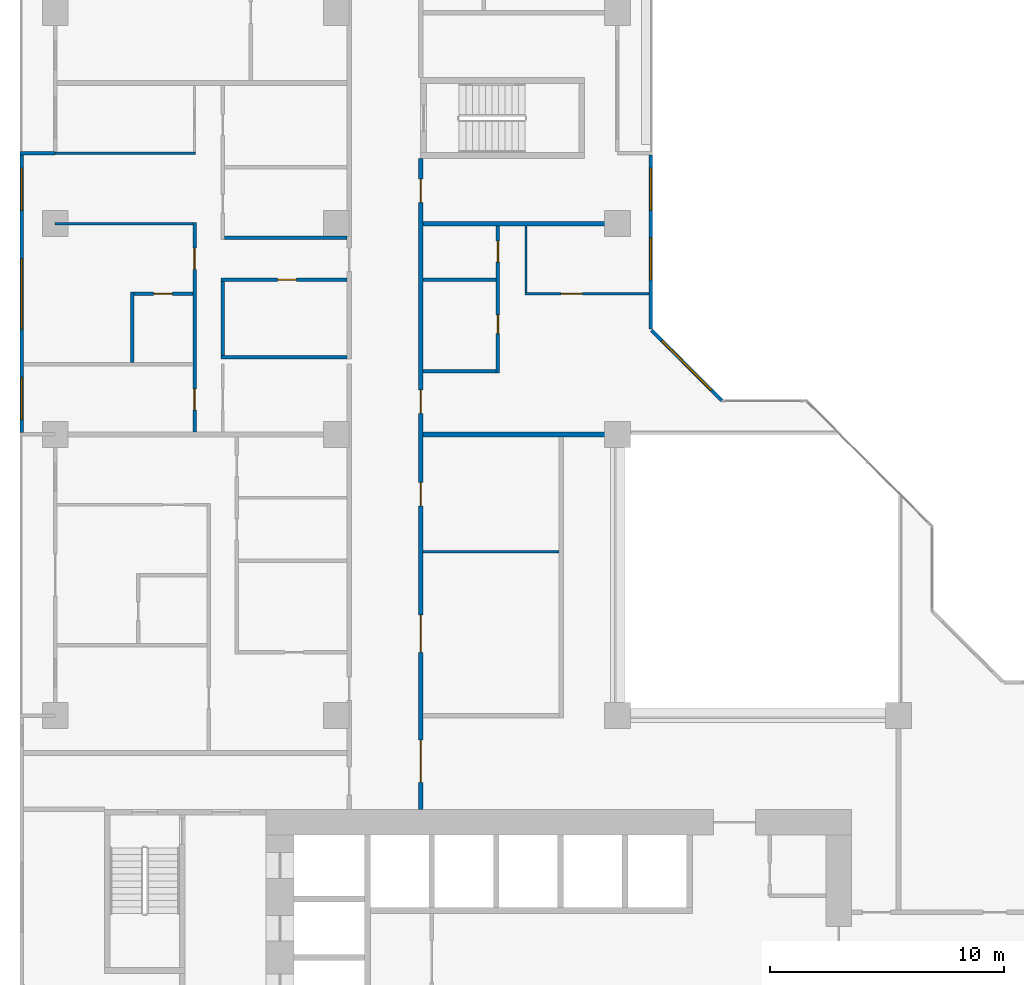
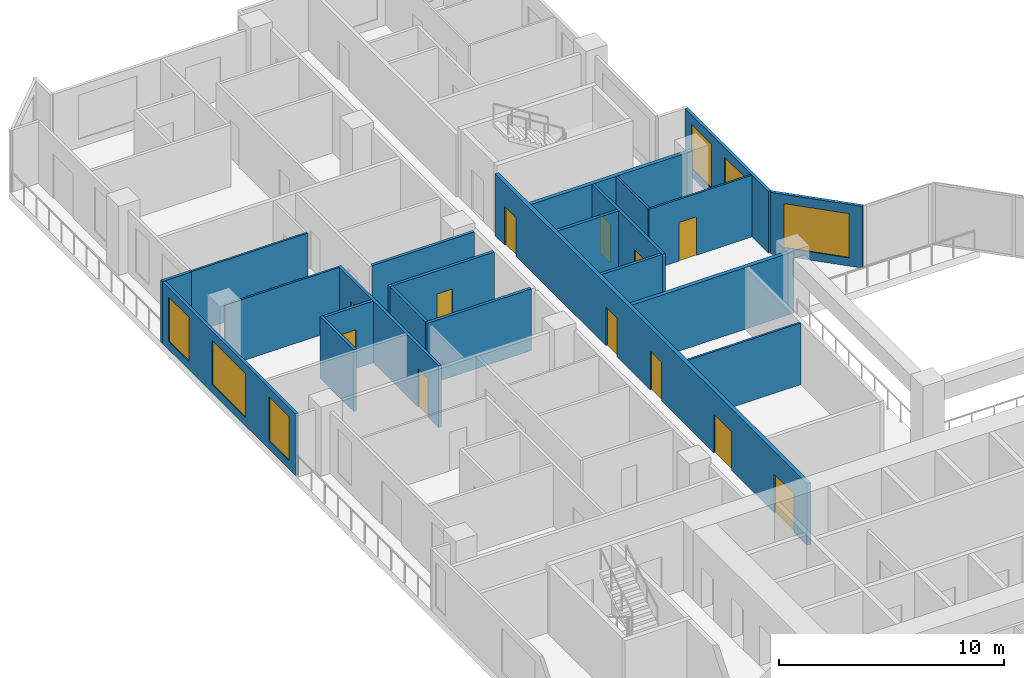
# One storey, part 9 of 15: 22 walls, 12 doors, 6 windows, 18 openings.
"""IFC4 building model written with IfcOpenShell, lengths in metres."""

from ifc_helpers import new_model, si_unit, direction, frame, frame_2d, origin, place, context, subcontext, project, spatial, rectangle, extrude, material, layer, layer_set, type_object, element, fill, save


model = new_model("IFC4")

# Units and contexts
model_context = context("Model", 3, precision=1e-05, world=origin(), true_north=direction((0.0, 1.0)))
body_context = subcontext(model_context, "Body", "Model", "MODEL_VIEW")
ifc_project = project(units=[si_unit("LENGTHUNIT", "METRE"), si_unit("AREAUNIT", "SQUARE_METRE"), si_unit("VOLUMEUNIT", "CUBIC_METRE"), si_unit("PLANEANGLEUNIT", "RADIAN"), si_unit("MASSUNIT", "GRAM", prefix="KILO")], contexts=[model_context])

# Site, building, storey
site_placement = place(None, origin())
site = spatial("IfcSite", under=ifc_project, at=site_placement, CompositionType="ELEMENT")
building_placement = place(site_placement, origin())
building = spatial("IfcBuilding", under=site, at=building_placement, Name="Chenar Terraces", CompositionType="ELEMENT")
storey_placement = place(building_placement, frame((0.0, 0.0, 52.64990234375)))
storey = spatial("IfcBuildingStorey", under=building, at=storey_placement, Name="L10", CompositionType="ELEMENT", Elevation=52.64990234375)

# Wall, openings, doors
ifc_material_1 = material(Name="Gypsum board on steel studs with fire boards", Category="steel")
ifc_layer_1 = layer(ifc_material_1, 0.199951171875)
ifc_layer_set_1 = layer_set([ifc_layer_1], Name="Gypsum board on steel studs with fire boards")
wall_type_1 = type_object("IfcWallType", Name="Corridor wall 200", PredefinedType="PARTITIONING", material=ifc_layer_set_1)
wall_1_placement = place(storey_placement, frame((15.60009765625, 20.0, 0.0), z_axis=(0.0, 0.0, 1.0), x_axis=(0.0, 1.0, 0.0)))
wall_1 = element("IfcWall", 1, at=wall_1_placement, inside=storey, type_object=wall_type_1, Name="Partition L10-044", PredefinedType="PARTITIONING", context=body_context, shape_type="SweptSolid", body=[
    extrude(rectangle(XDim=27.77490234375, YDim=0.199951171875, at=frame_2d((13.887451171875, 0.0))), origin(), (0.0, 0.0, 1.0), 3.35009765625),
])
opening_1_placement = place(wall_1_placement, frame((6.699951171875, 0.0, 0.0)))
opening_1 = element("IfcOpeningElement", 2, at=opening_1_placement, cuts=wall_1, Name="Opening DL10-1", PredefinedType="OPENING", context=body_context, shape_type="SweptSolid", body=[
    extrude(rectangle(XDim=1.60009765625, YDim=2.10009765625, at=frame_2d((0.800048828125, 1.050048828125))), frame((0.0, 0.10986328125, 0.0), z_axis=(0.0, -1.0, 0.0), x_axis=(1.0, 0.0, 0.0)), (0.0, 0.0, 1.0), 0.219970703125),
])
opening_2_placement = place(wall_1_placement, frame((12.949951171875, 0.0, 0.0)))
opening_2 = element("IfcOpeningElement", 3, at=opening_2_placement, cuts=wall_1, Name="Opening DL10-2", PredefinedType="OPENING", context=body_context, shape_type="SweptSolid", body=[
    extrude(rectangle(XDim=1.0, YDim=2.10009765625, at=frame_2d((0.5, 1.050048828125))), frame((0.0, 0.10986328125, 0.0), z_axis=(0.0, -1.0, 0.0), x_axis=(1.0, 0.0, 0.0)), (0.0, 0.0, 1.0), 0.219970703125),
])
opening_3_placement = place(wall_1_placement, frame((16.89990234375, 0.0, 0.0)))
opening_3 = element("IfcOpeningElement", 4, at=opening_3_placement, cuts=wall_1, Name="Opening DL10-26", PredefinedType="OPENING", context=body_context, shape_type="SweptSolid", body=[
    extrude(rectangle(XDim=1.0, YDim=2.10009765625, at=frame_2d((0.5, 1.050048828125))), frame((0.0, 0.10986328125, 0.0), z_axis=(0.0, -1.0, 0.0), x_axis=(1.0, 0.0, 0.0)), (0.0, 0.0, 1.0), 0.219970703125),
])
opening_4_placement = place(wall_1_placement, frame((1.14990234375, 0.0, 0.0)))
opening_4 = element("IfcOpeningElement", 5, at=opening_4_placement, cuts=wall_1, Name="Opening DL10-47", PredefinedType="OPENING", context=body_context, shape_type="SweptSolid", body=[
    extrude(rectangle(XDim=1.800048828125, YDim=2.10009765625, at=frame_2d((0.89990234375, 1.050048828125))), frame((0.0, 0.10986328125, 0.0), z_axis=(0.0, -1.0, 0.0), x_axis=(1.0, 0.0, 0.0)), (0.0, 0.0, 1.0), 0.219970703125),
])
opening_5_placement = place(wall_1_placement, frame((25.89990234375, 0.0, 0.0)))
opening_5 = element("IfcOpeningElement", 6, at=opening_5_placement, cuts=wall_1, Name="Opening DL10-50", PredefinedType="OPENING", context=body_context, shape_type="SweptSolid", body=[
    extrude(rectangle(XDim=1.0, YDim=2.10009765625, at=frame_2d((0.5, 1.050048828125))), frame((0.0, 0.10986328125, 0.0), z_axis=(0.0, -1.0, 0.0), x_axis=(1.0, 0.0, 0.0)), (0.0, 0.0, 1.0), 0.219970703125),
])
ifc_material_2 = material(Name="Steel-framed fire-resisting door leaf", Category="steel")
door_type_1 = type_object("IfcDoorType", Name="Fire door FD60 1000 x 2100", OperationType="SINGLE_SWING_LEFT", PredefinedType="DOOR", material=ifc_material_2)
door_1_placement = place(opening_2_placement, frame((1.0, 0.0, 0.0), z_axis=(0.0, 0.0, 1.0), x_axis=(-1.0, 0.0, 0.0)))
door_1 = element("IfcDoor", 7, at=door_1_placement, inside=storey, type_object=door_type_1, Name="Door DL10-2", OperationType="SINGLE_SWING_LEFT", OverallHeight=2.10009765625, OverallWidth=1.0, PredefinedType="DOOR", context=body_context, shape_type="SweptSolid", body=[
    extrude(rectangle(XDim=1.0, YDim=2.10009765625, at=frame_2d((0.5, 1.050048828125))), frame((0.0, 0.02490234375, 0.0), z_axis=(0.0, -1.0, 0.0), x_axis=(1.0, 0.0, 0.0)), (0.0, 0.0, 1.0), 0.050048828125),
])
fill(opening_2, door_1)
door_2_placement = place(opening_3_placement, frame((1.0, 0.0, 0.0), z_axis=(0.0, 0.0, 1.0), x_axis=(-1.0, 0.0, 0.0)))
door_2 = element("IfcDoor", 8, at=door_2_placement, inside=storey, type_object=door_type_1, Name="Door DL10-26", OperationType="SINGLE_SWING_LEFT", OverallHeight=2.10009765625, OverallWidth=1.0, PredefinedType="DOOR", context=body_context, shape_type="SweptSolid", body=[
    extrude(rectangle(XDim=1.0, YDim=2.10009765625, at=frame_2d((0.5, 1.050048828125))), frame((0.0, 0.02490234375, 0.0), z_axis=(0.0, -1.0, 0.0), x_axis=(1.0, 0.0, 0.0)), (0.0, 0.0, 1.0), 0.050048828125),
])
fill(opening_3, door_2)
door_3_placement = place(opening_5_placement, frame((1.0, 0.0, 0.0), z_axis=(0.0, 0.0, 1.0), x_axis=(-1.0, 0.0, 0.0)))
door_3 = element("IfcDoor", 9, at=door_3_placement, inside=storey, type_object=door_type_1, Name="Door DL10-50", OperationType="SINGLE_SWING_RIGHT", OverallHeight=2.10009765625, OverallWidth=1.0, PredefinedType="DOOR", context=body_context, shape_type="SweptSolid", body=[
    extrude(rectangle(XDim=1.0, YDim=2.10009765625, at=frame_2d((0.5, 1.050048828125))), frame((0.0, 0.02490234375, 0.0), z_axis=(0.0, -1.0, 0.0), x_axis=(1.0, 0.0, 0.0)), (0.0, 0.0, 1.0), 0.050048828125),
])
fill(opening_5, door_3)
ifc_material_3 = material(Name="Steel-framed fire-resisting door leaf", Category="steel")
door_type_2 = type_object("IfcDoorType", Name="Fire double door FD60 1600 x 2100", OperationType="DOUBLE_DOOR_SINGLE_SWING", PredefinedType="DOOR", material=ifc_material_3)
door_4_placement = place(opening_1_placement, frame((1.60009765625, 0.0, 0.0), z_axis=(0.0, 0.0, 1.0), x_axis=(-1.0, 0.0, 0.0)))
door_4 = element("IfcDoor", 10, at=door_4_placement, inside=storey, type_object=door_type_2, Name="Door DL10-1", OperationType="DOUBLE_DOOR_SINGLE_SWING", OverallHeight=2.10009765625, OverallWidth=1.60009765625, PredefinedType="DOOR", context=body_context, shape_type="SweptSolid", body=[
    extrude(rectangle(XDim=1.60009765625, YDim=2.10009765625, at=frame_2d((0.800048828125, 1.050048828125))), frame((0.0, 0.02490234375, 0.0), z_axis=(0.0, -1.0, 0.0), x_axis=(1.0, 0.0, 0.0)), (0.0, 0.0, 1.0), 0.050048828125),
])
fill(opening_1, door_4)
ifc_material_4 = material(Name="Steel-framed fire-resisting door leaf", Category="steel")
door_type_3 = type_object("IfcDoorType", Name="Fire double door FD60 1800 x 2100", OperationType="DOUBLE_DOOR_SINGLE_SWING", PredefinedType="DOOR", material=ifc_material_4)
door_5_placement = place(opening_4_placement, frame((1.800048828125, 0.0, 0.0), z_axis=(0.0, 0.0, 1.0), x_axis=(-1.0, 0.0, 0.0)))
door_5 = element("IfcDoor", 11, at=door_5_placement, inside=storey, type_object=door_type_3, Name="Door DL10-47", OperationType="DOUBLE_DOOR_SINGLE_SWING", OverallHeight=2.10009765625, OverallWidth=1.800048828125, PredefinedType="DOOR", context=body_context, shape_type="SweptSolid", body=[
    extrude(rectangle(XDim=1.800048828125, YDim=2.10009765625, at=frame_2d((0.89990234375, 1.050048828125))), frame((0.0, 0.02490234375, 0.0), z_axis=(0.0, -1.0, 0.0), x_axis=(1.0, 0.0, 0.0)), (0.0, 0.0, 1.0), 0.050048828125),
])
fill(opening_4, door_5)

# Wall, openings, windows
ifc_material_5 = material(Name="Aluminium framed glazing", Category="aluminium")
ifc_layer_2 = layer(ifc_material_5, 0.14990234375)
ifc_layer_set_2 = layer_set([ifc_layer_2], Name="Aluminium framed glazing")
wall_type_2 = type_object("IfcWallType", Name="Glazed flush facade wall 150", PredefinedType="SOLIDWALL", material=ifc_layer_set_2)
wall_2_placement = place(storey_placement, frame((25.425048828125, 40.5, 0.0), z_axis=(0.0, 0.0, 1.0), x_axis=(0.0, 1.0, 0.0)))
wall_2 = element("IfcWall", 12, at=wall_2_placement, inside=storey, type_object=wall_type_2, Name="Glazed flush facade wall", PredefinedType="SOLIDWALL", context=body_context, shape_type="SweptSolid", body=[
    extrude(rectangle(XDim=7.425048828125, YDim=0.14990234375, at=frame_2d((3.71240234375, 0.0))), origin(), (0.0, 0.0, 1.0), 3.35009765625),
])
opening_6_placement = place(wall_2_placement, frame((2.10009765625, 0.0, 0.449951171875)))
opening_6 = element("IfcOpeningElement", 13, at=opening_6_placement, cuts=wall_2, Name="Opening W180x240", PredefinedType="OPENING", context=body_context, shape_type="SweptSolid", body=[
    extrude(rectangle(XDim=1.800048828125, YDim=2.39990234375, at=frame_2d((0.89990234375, 1.199951171875))), frame((0.0, 0.0849609375, 0.0), z_axis=(0.0, -1.0, 0.0), x_axis=(1.0, 0.0, 0.0)), (0.0, 0.0, 1.0), 0.169921875),
])
opening_7_placement = place(wall_2_placement, frame((5.0625, 0.0, 0.449951171875)))
opening_7 = element("IfcOpeningElement", 14, at=opening_7_placement, cuts=wall_2, Name="Opening W180x240", PredefinedType="OPENING", context=body_context, shape_type="SweptSolid", body=[
    extrude(rectangle(XDim=1.800048828125, YDim=2.39990234375, at=frame_2d((0.89990234375, 1.199951171875))), frame((0.0, 0.0849609375, 0.0), z_axis=(0.0, -1.0, 0.0), x_axis=(1.0, 0.0, 0.0)), (0.0, 0.0, 1.0), 0.169921875),
])
ifc_material_6 = material(Name="Low emissivity double glazing, aluminium frame", Category="aluminium")
window_type_1 = type_object("IfcWindowType", Name="Fixed light 1800 x 2400", PartitioningType="SINGLE_PANEL", PredefinedType="WINDOW", material=ifc_material_6)
window_1_placement = place(opening_6_placement, origin())
window_1 = element("IfcWindow", 15, at=window_1_placement, inside=storey, type_object=window_type_1, Name="Window", OverallHeight=2.39990234375, OverallWidth=1.800048828125, PartitioningType="SINGLE_PANEL", PredefinedType="WINDOW", context=body_context, shape_type="SweptSolid", body=[
    extrude(rectangle(XDim=1.800048828125, YDim=2.39990234375, at=frame_2d((0.89990234375, 1.199951171875))), frame((0.0, 0.030029296875, 0.0), z_axis=(0.0, -1.0, 0.0), x_axis=(1.0, 0.0, 0.0)), (0.0, 0.0, 1.0), 0.06005859375),
])
fill(opening_6, window_1)
window_2_placement = place(opening_7_placement, origin())
window_2 = element("IfcWindow", 16, at=window_2_placement, inside=storey, type_object=window_type_1, Name="Window", OverallHeight=2.39990234375, OverallWidth=1.800048828125, PartitioningType="SINGLE_PANEL", PredefinedType="WINDOW", context=body_context, shape_type="SweptSolid", body=[
    extrude(rectangle(XDim=1.800048828125, YDim=2.39990234375, at=frame_2d((0.89990234375, 1.199951171875))), frame((0.0, 0.030029296875, 0.0), z_axis=(0.0, -1.0, 0.0), x_axis=(1.0, 0.0, 0.0)), (0.0, 0.0, 1.0), 0.06005859375),
])
fill(opening_7, window_2)

wall_3_placement = place(storey_placement, frame((-1.425048828125, 47.925048828125, 0.0), z_axis=(0.0, 0.0, 1.0), x_axis=(0.0, -1.0, 0.0)))
wall_3 = element("IfcWall", 17, at=wall_3_placement, inside=storey, type_object=wall_type_2, Name="Glazed flush facade wall", PredefinedType="SOLIDWALL", context=body_context, shape_type="SweptSolid", body=[
    extrude(rectangle(XDim=11.85009765625, YDim=0.14990234375, at=frame_2d((5.925048828125, 0.0))), origin(), (0.0, 0.0, 1.0), 3.35009765625),
])
opening_8_placement = place(wall_3_placement, frame((0.5625, 0.0, 0.449951171875)))
opening_8 = element("IfcOpeningElement", 18, at=opening_8_placement, cuts=wall_3, Name="Opening W180x240", PredefinedType="OPENING", context=body_context, shape_type="SweptSolid", body=[
    extrude(rectangle(XDim=1.800048828125, YDim=2.39990234375, at=frame_2d((0.89990234375, 1.199951171875))), frame((0.0, 0.0849609375, 0.0), z_axis=(0.0, -1.0, 0.0), x_axis=(1.0, 0.0, 0.0)), (0.0, 0.0, 1.0), 0.169921875),
])
opening_9_placement = place(wall_3_placement, frame((4.425048828125, 0.0, 0.449951171875)))
opening_9 = element("IfcOpeningElement", 19, at=opening_9_placement, cuts=wall_3, Name="Opening W300x240", PredefinedType="OPENING", context=body_context, shape_type="SweptSolid", body=[
    extrude(rectangle(XDim=3.0, YDim=2.39990234375, at=frame_2d((1.5, 1.199951171875))), frame((0.0, 0.0849609375, 0.0), z_axis=(0.0, -1.0, 0.0), x_axis=(1.0, 0.0, 0.0)), (0.0, 0.0, 1.0), 0.169921875),
])
opening_10_placement = place(wall_3_placement, frame((9.487548828125, 0.0, 0.449951171875)))
opening_10 = element("IfcOpeningElement", 20, at=opening_10_placement, cuts=wall_3, Name="Opening W180x240", PredefinedType="OPENING", context=body_context, shape_type="SweptSolid", body=[
    extrude(rectangle(XDim=1.800048828125, YDim=2.39990234375, at=frame_2d((0.89990234375, 1.199951171875))), frame((0.0, 0.0849609375, 0.0), z_axis=(0.0, -1.0, 0.0), x_axis=(1.0, 0.0, 0.0)), (0.0, 0.0, 1.0), 0.169921875),
])
window_3_placement = place(opening_8_placement, origin())
window_3 = element("IfcWindow", 21, at=window_3_placement, inside=storey, type_object=window_type_1, Name="Window", OverallHeight=2.39990234375, OverallWidth=1.800048828125, PartitioningType="SINGLE_PANEL", PredefinedType="WINDOW", context=body_context, shape_type="SweptSolid", body=[
    extrude(rectangle(XDim=1.800048828125, YDim=2.39990234375, at=frame_2d((0.89990234375, 1.199951171875))), frame((0.0, 0.030029296875, 0.0), z_axis=(0.0, -1.0, 0.0), x_axis=(1.0, 0.0, 0.0)), (0.0, 0.0, 1.0), 0.06005859375),
])
fill(opening_8, window_3)
window_4_placement = place(opening_10_placement, origin())
window_4 = element("IfcWindow", 22, at=window_4_placement, inside=storey, type_object=window_type_1, Name="Window", OverallHeight=2.39990234375, OverallWidth=1.800048828125, PartitioningType="SINGLE_PANEL", PredefinedType="WINDOW", context=body_context, shape_type="SweptSolid", body=[
    extrude(rectangle(XDim=1.800048828125, YDim=2.39990234375, at=frame_2d((0.89990234375, 1.199951171875))), frame((0.0, 0.030029296875, 0.0), z_axis=(0.0, -1.0, 0.0), x_axis=(1.0, 0.0, 0.0)), (0.0, 0.0, 1.0), 0.06005859375),
])
fill(opening_10, window_4)
ifc_material_7 = material(Name="Low emissivity double glazing, aluminium frame", Category="aluminium")
window_type_2 = type_object("IfcWindowType", Name="Fixed light 3000 x 2400", PartitioningType="SINGLE_PANEL", PredefinedType="WINDOW", material=ifc_material_7)
window_5_placement = place(opening_9_placement, origin())
window_5 = element("IfcWindow", 23, at=window_5_placement, inside=storey, type_object=window_type_2, Name="Window", OverallHeight=2.39990234375, OverallWidth=3.0, PartitioningType="SINGLE_PANEL", PredefinedType="WINDOW", context=body_context, shape_type="SweptSolid", body=[
    extrude(rectangle(XDim=3.0, YDim=2.39990234375, at=frame_2d((1.5, 1.199951171875))), frame((0.0, 0.030029296875, 0.0), z_axis=(0.0, -1.0, 0.0), x_axis=(1.0, 0.0, 0.0)), (0.0, 0.0, 1.0), 0.06005859375),
])
fill(opening_9, window_5)

# Walls
ifc_material_8 = material(Name="Gypsum board on steel studs", Category="steel")
ifc_layer_3 = layer(ifc_material_8, 0.10009765625)
ifc_layer_set_3 = layer_set([ifc_layer_3], Name="Gypsum board on steel studs")
wall_type_3 = type_object("IfcWallType", Name="Gypsum partition 100", PredefinedType="PARTITIONING", material=ifc_layer_set_3)
wall_4_placement = place(storey_placement, frame((0.0, 45.0, 0.0), z_axis=(0.0, 0.0, 1.0), x_axis=(1.0, 0.0, 0.0)))
element("IfcWall", 24, at=wall_4_placement, inside=storey, type_object=wall_type_3, Name="Partition L10-005", PredefinedType="PARTITIONING", context=body_context, shape_type="SweptSolid", body=[
    extrude(rectangle(XDim=5.875, YDim=0.10009765625, at=frame_2d((2.9375, 0.0))), origin(), (0.0, 0.0, 1.0), 3.35009765625),
])
wall_5_placement = place(storey_placement, frame((0.0, 48.0, 0.0), z_axis=(0.0, 0.0, 1.0), x_axis=(1.0, 0.0, 0.0)))
element("IfcWall", 25, at=wall_5_placement, inside=storey, type_object=wall_type_3, Name="Partition L10-006", PredefinedType="PARTITIONING", context=body_context, shape_type="SweptSolid", body=[
    extrude(rectangle(XDim=6.0, YDim=0.10009765625, at=frame_2d((3.0, 0.0))), origin(), (0.0, 0.0, 1.0), 3.35009765625),
])
wall_6_placement = place(storey_placement, frame((15.699951171875, 31.0, 0.0), z_axis=(0.0, 0.0, 1.0), x_axis=(1.0, 0.0, 0.0)))
element("IfcWall", 26, at=wall_6_placement, inside=storey, type_object=wall_type_3, Name="Partition L10-047", PredefinedType="PARTITIONING", context=body_context, shape_type="SweptSolid", body=[
    extrude(rectangle(XDim=5.800048828125, YDim=0.10009765625, at=frame_2d((2.89990234375, 0.0))), origin(), (0.0, 0.0, 1.0), 3.35009765625),
])

# Wall, opening, door
wall_7_placement = place(storey_placement, frame((20.050048828125, 42.0, 0.0), z_axis=(0.0, 0.0, 1.0), x_axis=(1.0, 0.0, 0.0)))
wall_7 = element("IfcWall", 27, at=wall_7_placement, inside=storey, type_object=wall_type_3, Name="Partition L10-061", PredefinedType="PARTITIONING", context=body_context, shape_type="SweptSolid", body=[
    extrude(rectangle(XDim=5.300048828125, YDim=0.10009765625, at=frame_2d((2.64990234375, 0.0))), origin(), (0.0, 0.0, 1.0), 3.35009765625),
])
opening_11_placement = place(wall_7_placement, frame((1.550048828125, 0.0, 0.0)))
opening_11 = element("IfcOpeningElement", 28, at=opening_11_placement, cuts=wall_7, Name="Opening DL10-24", PredefinedType="OPENING", context=body_context, shape_type="SweptSolid", body=[
    extrude(rectangle(XDim=0.89990234375, YDim=2.10009765625, at=frame_2d((0.449951171875, 1.050048828125))), frame((0.0, 0.06005859375, 0.0), z_axis=(0.0, -1.0, 0.0), x_axis=(1.0, 0.0, 0.0)), (0.0, 0.0, 1.0), 0.1201171875),
])
ifc_material_9 = material(Name="Veneered timber door leaf", Category="wood")
door_type_4 = type_object("IfcDoorType", Name="Door 900 x 2100", OperationType="SINGLE_SWING_LEFT", PredefinedType="DOOR", material=ifc_material_9)
door_6_placement = place(opening_11_placement, origin())
door_6 = element("IfcDoor", 29, at=door_6_placement, inside=storey, type_object=door_type_4, Name="Door DL10-24", OperationType="SINGLE_SWING_LEFT", OverallHeight=2.10009765625, OverallWidth=0.89990234375, PredefinedType="DOOR", context=body_context, shape_type="SweptSolid", body=[
    extrude(rectangle(XDim=0.89990234375, YDim=2.10009765625, at=frame_2d((0.449951171875, 1.050048828125))), frame((0.0, 0.02490234375, 0.0), z_axis=(0.0, -1.0, 0.0), x_axis=(1.0, 0.0, 0.0)), (0.0, 0.0, 1.0), 0.050048828125),
])
fill(opening_11, door_6)

# Walls
wall_8_placement = place(storey_placement, frame((20.10009765625, 42.050048828125, 0.0), z_axis=(0.0, 0.0, 1.0), x_axis=(0.0, 1.0, 0.0)))
element("IfcWall", 30, at=wall_8_placement, inside=storey, type_object=wall_type_3, Name="Partition L10-062", PredefinedType="PARTITIONING", context=body_context, shape_type="SweptSolid", body=[
    extrude(rectangle(XDim=2.849853515625, YDim=0.10009765625, at=frame_2d((1.4248046875, 0.0))), origin(), (0.0, 0.0, 1.0), 3.35009765625),
])
ifc_material_10 = material(Name="Terracotta cladding on insulated backing", Category="masonry")
ifc_layer_4 = layer(ifc_material_10, 0.14990234375)
ifc_layer_set_4 = layer_set([ifc_layer_4], Name="Terracotta cladding on insulated backing")
wall_type_4 = type_object("IfcWallType", Name="Loggia return wall 150", PredefinedType="SOLIDWALL", material=ifc_layer_set_4)
wall_9_placement = place(storey_placement, frame((-1.5, 48.0, 0.0), z_axis=(0.0, 0.0, 1.0), x_axis=(1.0, 0.0, 0.0)))
element("IfcWall", 31, at=wall_9_placement, inside=storey, type_object=wall_type_4, Name="Loggia return wall", PredefinedType="SOLIDWALL", context=body_context, shape_type="SweptSolid", body=[
    extrude(rectangle(XDim=1.5, YDim=0.14990234375, at=frame_2d((0.75, 0.0))), origin(), (0.0, 0.0, 1.0), 3.35009765625),
])

# Wall, opening, window
ifc_material_11 = material(Name="Terracotta cladding on insulated backing", Category="masonry")
ifc_layer_5 = layer(ifc_material_11, 0.14990234375)
ifc_layer_set_5 = layer_set([ifc_layer_5], Name="Terracotta cladding on insulated backing")
wall_type_5 = type_object("IfcWallType", Name="Terracotta rainscreen wall 150", PredefinedType="SOLIDWALL", material=ifc_layer_set_5)
wall_10_placement = place(storey_placement, frame((28.447021484375, 37.447021484375, 0.0), z_axis=(0.0, 0.0, 1.0), x_axis=(-0.707106781187, 0.707106781187, 0.0)))
wall_10 = element("IfcWall", 32, at=wall_10_placement, inside=storey, type_object=wall_type_5, Name="Terracotta rainscreen wall", PredefinedType="SOLIDWALL", context=body_context, shape_type="SweptSolid", body=[
    extrude(rectangle(XDim=4.24267578125, YDim=0.14990234375, at=frame_2d((2.121337890625, 0.0))), origin(), (0.0, 0.0, 1.0), 3.35009765625),
])
opening_12_placement = place(wall_10_placement, frame((0.621337890625, 0.0, 0.449951171875)))
opening_12 = element("IfcOpeningElement", 33, at=opening_12_placement, cuts=wall_10, Name="Opening W300x240", PredefinedType="OPENING", context=body_context, shape_type="SweptSolid", body=[
    extrude(rectangle(XDim=3.0, YDim=2.39990234375, at=frame_2d((1.5, 1.199951171875))), frame((0.0, 0.0849609375, 0.0), z_axis=(0.0, -1.0, 0.0), x_axis=(1.0, 0.0, 0.0)), (0.0, 0.0, 1.0), 0.169921875),
])
window_6_placement = place(opening_12_placement, origin())
window_6 = element("IfcWindow", 34, at=window_6_placement, inside=storey, type_object=window_type_2, Name="Window", OverallHeight=2.39990234375, OverallWidth=3.0, PartitioningType="SINGLE_PANEL", PredefinedType="WINDOW", context=body_context, shape_type="SweptSolid", body=[
    extrude(rectangle(XDim=3.0, YDim=2.39990234375, at=frame_2d((1.5, 1.199951171875))), frame((0.0, 0.030029296875, 0.0), z_axis=(0.0, -1.0, 0.0), x_axis=(1.0, 0.0, 0.0)), (0.0, 0.0, 1.0), 0.06005859375),
])
fill(opening_12, window_6)

# Walls
ifc_material_12 = material(Name="Twin gypsum board on steel studs with mineral wool", Category="steel")
ifc_layer_6 = layer(ifc_material_12, 0.199951171875)
ifc_layer_set_6 = layer_set([ifc_layer_6], Name="Twin gypsum board on steel studs with mineral wool")
wall_type_6 = type_object("IfcWallType", Name="Unit demising wall 200", PredefinedType="PARTITIONING", material=ifc_layer_set_6)
for number, where, z_axis, x_axis, name in (
    (35, (15.699951171875, 36.0, 0.0), (0.0, 0.0, 1.0), (1.0, 0.0, 0.0), "Partition L10-048"),
    (36, (15.699951171875, 45.0, 0.0), (0.0, 0.0, 1.0), (1.0, 0.0, 0.0), "Partition L10-051"),
):
    element("IfcWall", number, at=place(storey_placement, frame(where, z_axis=z_axis, x_axis=x_axis)), inside=storey, type_object=wall_type_6, Name=name, PredefinedType="PARTITIONING", context=body_context, shape_type="SweptSolid", body=[
        extrude(rectangle(XDim=8.300048828125, YDim=0.199951171875, at=frame_2d((4.14990234375, 0.0))), origin(), (0.0, 0.0, 1.0), 3.35009765625),
    ])
ifc_material_13 = material(Name="Moisture-resistant gypsum board on steel studs", Category="steel")
ifc_layer_7 = layer(ifc_material_13, 0.14990234375)
ifc_layer_set_7 = layer_set([ifc_layer_7], Name="Moisture-resistant gypsum board on steel studs")
wall_type_7 = type_object("IfcWallType", Name="Wet-room partition 150", PredefinedType="PARTITIONING", material=ifc_layer_set_7)
wall_11_placement = place(storey_placement, frame((3.300048828125, 39.074951171875, 0.0), z_axis=(0.0, 0.0, 1.0), x_axis=(0.0, 1.0, 0.0)))
element("IfcWall", 37, at=wall_11_placement, inside=storey, type_object=wall_type_7, Name="Partition L10-012", PredefinedType="PARTITIONING", context=body_context, shape_type="SweptSolid", body=[
    extrude(rectangle(XDim=3.0, YDim=0.14990234375, at=frame_2d((1.5, 0.0))), origin(), (0.0, 0.0, 1.0), 3.35009765625),
])

# Wall, opening, door
wall_12_placement = place(storey_placement, frame((3.375, 42.0, 0.0), z_axis=(0.0, 0.0, 1.0), x_axis=(1.0, 0.0, 0.0)))
wall_12 = element("IfcWall", 38, at=wall_12_placement, inside=storey, type_object=wall_type_7, Name="Partition L10-013", PredefinedType="PARTITIONING", context=body_context, shape_type="SweptSolid", body=[
    extrude(rectangle(XDim=2.5, YDim=0.14990234375, at=frame_2d((1.25, 0.0))), origin(), (0.0, 0.0, 1.0), 3.35009765625),
])
opening_13_placement = place(wall_12_placement, frame((0.824951171875, 0.0, 0.0)))
opening_13 = element("IfcOpeningElement", 39, at=opening_13_placement, cuts=wall_12, Name="Opening DL10-36", PredefinedType="OPENING", context=body_context, shape_type="SweptSolid", body=[
    extrude(rectangle(XDim=0.800048828125, YDim=2.10009765625, at=frame_2d((0.39990234375, 1.050048828125))), frame((0.0, 0.0849609375, 0.0), z_axis=(0.0, -1.0, 0.0), x_axis=(1.0, 0.0, 0.0)), (0.0, 0.0, 1.0), 0.169921875),
])
ifc_material_14 = material(Name="Veneered timber door leaf", Category="wood")
door_type_5 = type_object("IfcDoorType", Name="Door 800 x 2100", OperationType="SINGLE_SWING_LEFT", PredefinedType="DOOR", material=ifc_material_14)
door_7_placement = place(opening_13_placement, frame((0.800048828125, 0.0, 0.0), z_axis=(0.0, 0.0, 1.0), x_axis=(-1.0, 0.0, 0.0)))
door_7 = element("IfcDoor", 40, at=door_7_placement, inside=storey, type_object=door_type_5, Name="Door DL10-36", OperationType="SINGLE_SWING_LEFT", OverallHeight=2.10009765625, OverallWidth=0.800048828125, PredefinedType="DOOR", context=body_context, shape_type="SweptSolid", body=[
    extrude(rectangle(XDim=0.800048828125, YDim=2.10009765625, at=frame_2d((0.39990234375, 1.050048828125))), frame((0.0, 0.02490234375, 0.0), z_axis=(0.0, -1.0, 0.0), x_axis=(1.0, 0.0, 0.0)), (0.0, 0.0, 1.0), 0.050048828125),
])
fill(opening_13, door_7)

# Wall, openings, doors
wall_13_placement = place(storey_placement, frame((5.949951171875, 36.10009765625, 0.0), z_axis=(0.0, 0.0, 1.0), x_axis=(0.0, 1.0, 0.0)))
wall_13 = element("IfcWall", 41, at=wall_13_placement, inside=storey, type_object=wall_type_7, Name="Partition L10-018", PredefinedType="PARTITIONING", context=body_context, shape_type="SweptSolid", body=[
    extrude(rectangle(XDim=8.949951171875, YDim=0.14990234375, at=frame_2d((4.47509765625, 0.0))), origin(), (0.0, 0.0, 1.0), 3.35009765625),
])
opening_14_placement = place(wall_13_placement, frame((0.949951171875, 0.0, 0.0)))
opening_14 = element("IfcOpeningElement", 42, at=opening_14_placement, cuts=wall_13, Name="Opening DL10-33", PredefinedType="OPENING", context=body_context, shape_type="SweptSolid", body=[
    extrude(rectangle(XDim=0.89990234375, YDim=2.10009765625, at=frame_2d((0.449951171875, 1.050048828125))), frame((0.0, 0.0849609375, 0.0), z_axis=(0.0, -1.0, 0.0), x_axis=(1.0, 0.0, 0.0)), (0.0, 0.0, 1.0), 0.169921875),
])
opening_15_placement = place(wall_13_placement, frame((6.949951171875, 0.0, 0.0)))
opening_15 = element("IfcOpeningElement", 43, at=opening_15_placement, cuts=wall_13, Name="Opening DL10-35", PredefinedType="OPENING", context=body_context, shape_type="SweptSolid", body=[
    extrude(rectangle(XDim=0.89990234375, YDim=2.10009765625, at=frame_2d((0.449951171875, 1.050048828125))), frame((0.0, 0.0849609375, 0.0), z_axis=(0.0, -1.0, 0.0), x_axis=(1.0, 0.0, 0.0)), (0.0, 0.0, 1.0), 0.169921875),
])
door_8_placement = place(opening_14_placement, origin())
door_8 = element("IfcDoor", 44, at=door_8_placement, inside=storey, type_object=door_type_4, Name="Door DL10-33", OperationType="SINGLE_SWING_RIGHT", OverallHeight=2.10009765625, OverallWidth=0.89990234375, PredefinedType="DOOR", context=body_context, shape_type="SweptSolid", body=[
    extrude(rectangle(XDim=0.89990234375, YDim=2.10009765625, at=frame_2d((0.449951171875, 1.050048828125))), frame((0.0, 0.02490234375, 0.0), z_axis=(0.0, -1.0, 0.0), x_axis=(1.0, 0.0, 0.0)), (0.0, 0.0, 1.0), 0.050048828125),
])
fill(opening_14, door_8)
door_9_placement = place(opening_15_placement, origin())
door_9 = element("IfcDoor", 45, at=door_9_placement, inside=storey, type_object=door_type_4, Name="Door DL10-35", OperationType="SINGLE_SWING_RIGHT", OverallHeight=2.10009765625, OverallWidth=0.89990234375, PredefinedType="DOOR", context=body_context, shape_type="SweptSolid", body=[
    extrude(rectangle(XDim=0.89990234375, YDim=2.10009765625, at=frame_2d((0.449951171875, 1.050048828125))), frame((0.0, 0.02490234375, 0.0), z_axis=(0.0, -1.0, 0.0), x_axis=(1.0, 0.0, 0.0)), (0.0, 0.0, 1.0), 0.050048828125),
])
fill(opening_15, door_9)

# Wall
wall_14_placement = place(storey_placement, frame((7.074951171875, 39.300048828125, 0.0), z_axis=(0.0, 0.0, 1.0), x_axis=(1.0, 0.0, 0.0)))
element("IfcWall", 46, at=wall_14_placement, inside=storey, type_object=wall_type_7, Name="Partition L10-021", PredefinedType="PARTITIONING", context=body_context, shape_type="SweptSolid", body=[
    extrude(rectangle(XDim=5.375, YDim=0.14990234375, at=frame_2d((2.6875, 0.0))), origin(), (0.0, 0.0, 1.0), 3.35009765625),
])

# Wall, opening, door
wall_15_placement = place(storey_placement, frame((7.074951171875, 42.60009765625, 0.0), z_axis=(0.0, 0.0, 1.0), x_axis=(1.0, 0.0, 0.0)))
wall_15 = element("IfcWall", 47, at=wall_15_placement, inside=storey, type_object=wall_type_7, Name="Partition L10-022", PredefinedType="PARTITIONING", context=body_context, shape_type="SweptSolid", body=[
    extrude(rectangle(XDim=5.375, YDim=0.14990234375, at=frame_2d((2.6875, 0.0))), origin(), (0.0, 0.0, 1.0), 3.35009765625),
])
opening_16_placement = place(wall_15_placement, frame((2.425048828125, 0.0, 0.0)))
opening_16 = element("IfcOpeningElement", 48, at=opening_16_placement, cuts=wall_15, Name="Opening DL10-32", PredefinedType="OPENING", context=body_context, shape_type="SweptSolid", body=[
    extrude(rectangle(XDim=0.800048828125, YDim=2.10009765625, at=frame_2d((0.39990234375, 1.050048828125))), frame((0.0, 0.0849609375, 0.0), z_axis=(0.0, -1.0, 0.0), x_axis=(1.0, 0.0, 0.0)), (0.0, 0.0, 1.0), 0.169921875),
])
door_10_placement = place(opening_16_placement, frame((0.800048828125, 0.0, 0.0), z_axis=(0.0, 0.0, 1.0), x_axis=(-1.0, 0.0, 0.0)))
door_10 = element("IfcDoor", 49, at=door_10_placement, inside=storey, type_object=door_type_5, Name="Door DL10-32", OperationType="SINGLE_SWING_LEFT", OverallHeight=2.10009765625, OverallWidth=0.800048828125, PredefinedType="DOOR", context=body_context, shape_type="SweptSolid", body=[
    extrude(rectangle(XDim=0.800048828125, YDim=2.10009765625, at=frame_2d((0.39990234375, 1.050048828125))), frame((0.0, 0.02490234375, 0.0), z_axis=(0.0, -1.0, 0.0), x_axis=(1.0, 0.0, 0.0)), (0.0, 0.0, 1.0), 0.050048828125),
])
fill(opening_16, door_10)

# Walls
wall_16_placement = place(storey_placement, frame((7.14990234375, 39.375, 0.0), z_axis=(0.0, 0.0, 1.0), x_axis=(0.0, 1.0, 0.0)))
element("IfcWall", 50, at=wall_16_placement, inside=storey, type_object=wall_type_7, Name="Partition L10-024", PredefinedType="PARTITIONING", context=body_context, shape_type="SweptSolid", body=[
    extrude(rectangle(XDim=3.14990234375, YDim=0.14990234375, at=frame_2d((1.574951171875, 0.0))), origin(), (0.0, 0.0, 1.0), 3.35009765625),
])
wall_17_placement = place(storey_placement, frame((7.22509765625, 44.39990234375, 0.0), z_axis=(0.0, 0.0, 1.0), x_axis=(1.0, 0.0, 0.0)))
element("IfcWall", 51, at=wall_17_placement, inside=storey, type_object=wall_type_7, Name="Partition L10-027", PredefinedType="PARTITIONING", context=body_context, shape_type="SweptSolid", body=[
    extrude(rectangle(XDim=5.224853515625, YDim=0.14990234375, at=frame_2d((2.6123046875, 0.0))), origin(), (0.0, 0.0, 1.0), 3.35009765625),
])
for number, where, z_axis, x_axis, name in (
    (52, (15.699951171875, 38.699951171875, 0.0), (0.0, 0.0, 1.0), (1.0, 0.0, 0.0), "Partition L10-049"),
    (53, (15.699951171875, 42.60009765625, 0.0), (0.0, 0.0, 1.0), (1.0, 0.0, 0.0), "Partition L10-050"),
):
    element("IfcWall", number, at=place(storey_placement, frame(where, z_axis=z_axis, x_axis=x_axis)), inside=storey, type_object=wall_type_7, Name=name, PredefinedType="PARTITIONING", context=body_context, shape_type="SweptSolid", body=[
        extrude(rectangle(XDim=3.125, YDim=0.14990234375, at=frame_2d((1.5625, 0.0))), origin(), (0.0, 0.0, 1.0), 3.35009765625),
    ])

# Wall, openings, doors
wall_18_placement = place(storey_placement, frame((18.89990234375, 38.625, 0.0), z_axis=(0.0, 0.0, 1.0), x_axis=(0.0, 1.0, 0.0)))
wall_18 = element("IfcWall", 54, at=wall_18_placement, inside=storey, type_object=wall_type_7, Name="Partition L10-057", PredefinedType="PARTITIONING", context=body_context, shape_type="SweptSolid", body=[
    extrude(rectangle(XDim=6.27490234375, YDim=0.14990234375, at=frame_2d((3.137451171875, 0.0))), origin(), (0.0, 0.0, 1.0), 3.35009765625),
])
opening_17_placement = place(wall_18_placement, frame((1.675048828125, 0.0, 0.0)))
opening_17 = element("IfcOpeningElement", 55, at=opening_17_placement, cuts=wall_18, Name="Opening DL10-23", PredefinedType="OPENING", context=body_context, shape_type="SweptSolid", body=[
    extrude(rectangle(XDim=0.800048828125, YDim=2.10009765625, at=frame_2d((0.39990234375, 1.050048828125))), frame((0.0, 0.0849609375, 0.0), z_axis=(0.0, -1.0, 0.0), x_axis=(1.0, 0.0, 0.0)), (0.0, 0.0, 1.0), 0.169921875),
])
opening_18_placement = place(wall_18_placement, frame((4.72509765625, 0.0, 0.0)))
opening_18 = element("IfcOpeningElement", 56, at=opening_18_placement, cuts=wall_18, Name="Opening DL10-25", PredefinedType="OPENING", context=body_context, shape_type="SweptSolid", body=[
    extrude(rectangle(XDim=0.89990234375, YDim=2.10009765625, at=frame_2d((0.449951171875, 1.050048828125))), frame((0.0, 0.0849609375, 0.0), z_axis=(0.0, -1.0, 0.0), x_axis=(1.0, 0.0, 0.0)), (0.0, 0.0, 1.0), 0.169921875),
])
door_11_placement = place(opening_17_placement, origin())
door_11 = element("IfcDoor", 57, at=door_11_placement, inside=storey, type_object=door_type_5, Name="Door DL10-23", OperationType="SINGLE_SWING_RIGHT", OverallHeight=2.10009765625, OverallWidth=0.800048828125, PredefinedType="DOOR", context=body_context, shape_type="SweptSolid", body=[
    extrude(rectangle(XDim=0.800048828125, YDim=2.10009765625, at=frame_2d((0.39990234375, 1.050048828125))), frame((0.0, 0.02490234375, 0.0), z_axis=(0.0, -1.0, 0.0), x_axis=(1.0, 0.0, 0.0)), (0.0, 0.0, 1.0), 0.050048828125),
])
fill(opening_17, door_11)
door_12_placement = place(opening_18_placement, origin())
door_12 = element("IfcDoor", 58, at=door_12_placement, inside=storey, type_object=door_type_4, Name="Door DL10-25", OperationType="SINGLE_SWING_LEFT", OverallHeight=2.10009765625, OverallWidth=0.89990234375, PredefinedType="DOOR", context=body_context, shape_type="SweptSolid", body=[
    extrude(rectangle(XDim=0.89990234375, YDim=2.10009765625, at=frame_2d((0.449951171875, 1.050048828125))), frame((0.0, 0.02490234375, 0.0), z_axis=(0.0, -1.0, 0.0), x_axis=(1.0, 0.0, 0.0)), (0.0, 0.0, 1.0), 0.050048828125),
])
fill(opening_18, door_12)

save(model, "model.ifc")
